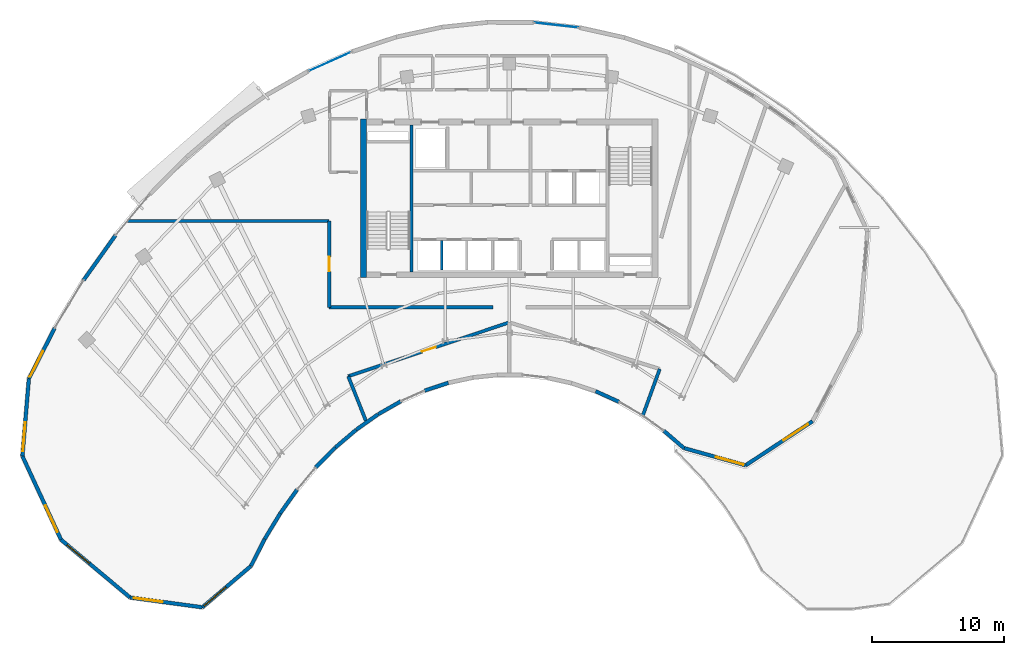
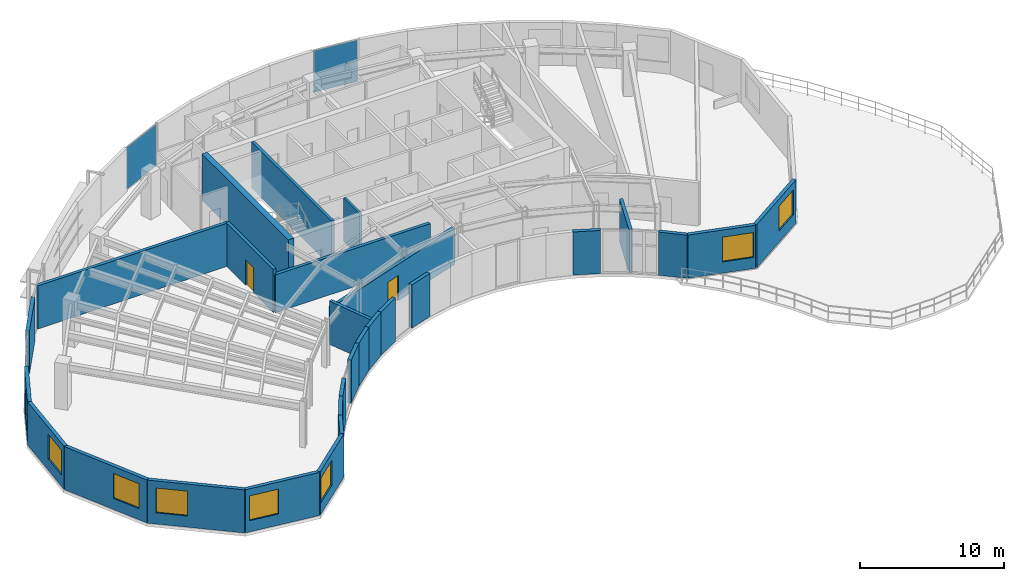
# One storey, part 7 of 15: 28 walls, 8 windows, 2 doors, 2 plates, 10 openings, 2 elements without a shape of their own.
"""IFC4 building model written with IfcOpenShell, lengths in metres."""

from ifc_helpers import new_model, si_unit, direction, frame, frame_2d, origin, origin_2d, place, context, subcontext, project, spatial, rectangle, extrude, source, transform, mapped, material, layer, layer_set, type_object, type_shapes, element, fill, aggregate, save


model = new_model("IFC4")

# Units and contexts
model_context = context("Model", 3, precision=1e-05, world=origin(), true_north=direction((0.0, 1.0)))
body_context = subcontext(model_context, "Body", "Model", "MODEL_VIEW")
ifc_project = project(units=[si_unit("LENGTHUNIT", "METRE"), si_unit("AREAUNIT", "SQUARE_METRE"), si_unit("VOLUMEUNIT", "CUBIC_METRE"), si_unit("PLANEANGLEUNIT", "RADIAN"), si_unit("MASSUNIT", "GRAM", prefix="KILO")], contexts=[model_context])

# Site, building, storey
site_placement = place(None, origin())
site = spatial("IfcSite", under=ifc_project, at=site_placement, CompositionType="ELEMENT")
building_placement = place(site_placement, origin())
building = spatial("IfcBuilding", under=site, at=building_placement, Name="Breltana Convention Tower", CompositionType="ELEMENT")
storey_placement = place(building_placement, frame((0.0, 0.0, 231.300048828125)))
storey = spatial("IfcBuildingStorey", under=building, at=storey_placement, Name="L56", CompositionType="ELEMENT", Elevation=231.300048828125)

# Curtain wall, plate
ifc_material_1 = material(Name="Aluminium Anodised Bronze Frame", Category="aluminium")
ifc_layer_1 = layer(ifc_material_1, 0.219970703125, Name="Aluminium Anodised Bronze Frame")
ifc_layer_set_1 = layer_set([ifc_layer_1], Name="Aluminium Anodised Bronze Frame")
curtain_wall_type = type_object("IfcCurtainWallType", Name="CW-SYS-4", PredefinedType="NOTDEFINED", material=ifc_layer_set_1)
curtain_wall_1_placement = place(storey_placement, origin())
curtain_wall_1 = element("IfcCurtainWall", 1, at=curtain_wall_1_placement, inside=storey, type_object=curtain_wall_type, Name="L56 outer double-skin inner glazing 3", PredefinedType="NOTDEFINED")
ifc_material_2 = material(Name="Glass Low-E Double Glazing", Category="glass")
ifc_layer_2 = layer(ifc_material_2, 0.028076171875, Name="Glass Low-E Double Glazing")
ifc_layer_set_2 = layer_set([ifc_layer_2], Name="Glass Low-E Double Glazing")
plate_type = type_object("IfcPlateType", Name="CWP-IGU-28", PredefinedType="CURTAIN_PANEL", material=ifc_layer_set_2)
shared_shape_1 = source(origin(), body_context, "Body", "SweptSolid", [
    extrude(rectangle(XDim=3.455810546875, YDim=0.028076171875, at=origin_2d()), origin(), (0.0, 0.0, 1.0), 3.510009765625),
])
plate_1_placement = place(storey_placement, frame((34.4267578125, 76.568115234375, 0.06982421875), z_axis=(0.0, 0.0, 1.0), x_axis=(0.912711055294, 0.408605591669, 0.0)))
plate_1 = element("IfcPlate", 2, at=plate_1_placement, type_object=plate_type, Name="CW-04 panel 1.1", PredefinedType="CURTAIN_PANEL", context=body_context, shape_type="MappedRepresentation", body=[
    mapped(shared_shape_1, transform((0.0, 0.0, 0.0), scale=1.0)),
])
aggregate(curtain_wall_1, [plate_1])

curtain_wall_2_placement = place(storey_placement, origin())
curtain_wall_2 = element("IfcCurtainWall", 3, at=curtain_wall_2_placement, inside=storey, type_object=curtain_wall_type, Name="L56 outer double-skin inner glazing 4", PredefinedType="NOTDEFINED")
shared_shape_2 = source(origin(), body_context, "Body", "SweptSolid", [
    extrude(rectangle(XDim=3.3271484375, YDim=0.028076171875, at=origin_2d()), origin(), (0.0, 0.0, 1.0), 3.510009765625),
])
plate_2_placement = place(storey_placement, frame((51.56494140625, 79.3271484375, 0.06982421875), z_axis=(0.0, 0.0, 1.0), x_axis=(0.993793880547, -0.111237237409, 0.0)))
plate_2 = element("IfcPlate", 4, at=plate_2_placement, type_object=plate_type, Name="CW-04 panel 1.1", PredefinedType="CURTAIN_PANEL", context=body_context, shape_type="MappedRepresentation", body=[
    mapped(shared_shape_2, transform((0.0, 0.0, 0.0), scale=1.0)),
])
aggregate(curtain_wall_2, [plate_2])

# Walls
ifc_material_3 = material(Name="Concrete C60/75", Category="concrete")
ifc_layer_3 = layer(ifc_material_3, 0.449951171875, Name="Concrete C60/75")
ifc_layer_set_3 = layer_set([ifc_layer_3], Name="Concrete C60/75")
wall_type_1 = type_object("IfcWallType", Name="SW-CORE-450", PredefinedType="SHEAR", material=ifc_layer_set_3)
shared_shape_3 = source(origin(), body_context, "Body", "SweptSolid", [
    extrude(rectangle(XDim=12.0, YDim=0.449951171875, at=frame_2d((6.0, 0.0))), origin(), (0.0, 0.0, 1.0), 3.89990234375),
])
wall_1_placement = place(storey_placement, frame((36.97509765625, 60.199951171875, 0.0), z_axis=(0.0, 0.0, 1.0), x_axis=(0.0, 1.0, 0.0)))
element("IfcWall", 5, at=wall_1_placement, inside=storey, type_object=wall_type_1, Name="L56 West Core Shear Wall", PredefinedType="SHEAR", context=body_context, shape_type="MappedRepresentation", body=[
    mapped(shared_shape_3, transform((0.0, 0.0, 0.0), scale=1.0)),
])
ifc_material_4 = material(Name="Concrete C50/60", Category="concrete")
ifc_layer_4 = layer(ifc_material_4, 0.39990234375, Name="Concrete C50/60")
ifc_layer_set_4 = layer_set([ifc_layer_4], Name="Concrete C50/60")
wall_type_2 = type_object("IfcWallType", Name="SW-CORE-400", PredefinedType="SHEAR", material=ifc_layer_set_4)
shared_shape_4 = source(origin(), body_context, "Body", "SweptSolid", [
    extrude(rectangle(XDim=11.10009765625, YDim=0.219970703125, at=frame_2d((5.550048828125, 0.0))), origin(), (0.0, 0.0, 1.0), 3.89990234375),
])
wall_2_placement = place(storey_placement, frame((40.580078125, 60.64990234375, 0.0), z_axis=(0.0, 0.0, 1.0), x_axis=(0.0, 1.0, 0.0)))
element("IfcWall", 6, at=wall_2_placement, inside=storey, type_object=wall_type_2, Name="L56 Core West Stair Spine Wall", PredefinedType="SHEAR", context=body_context, shape_type="MappedRepresentation", body=[
    mapped(shared_shape_4, transform((0.0, 0.0, 0.0), scale=1.0)),
])

# Wall, opening, window
ifc_material_5 = material(Name="Limestone Buff Insulated Wall", Category="masonry")
ifc_layer_5 = layer(ifc_material_5, 0.280029296875, Name="Limestone Buff Insulated Wall")
ifc_layer_set_5 = layer_set([ifc_layer_5], Name="Limestone Buff Insulated Wall")
wall_type_3 = type_object("IfcWallType", Name="WL-EXT-NOSE-280", PredefinedType="SOLIDWALL", material=ifc_layer_set_5)
shared_shape_5 = source(origin(), body_context, "Body", "SweptSolid", [
    extrude(rectangle(XDim=6.065185546875, YDim=0.280029296875, at=frame_2d((3.03271484375, 0.0))), origin(), (0.0, 0.0, 1.0), 3.64990234375),
])
wall_3_placement = place(storey_placement, frame((70.9541015625, 49.3349609375, 0.0), z_axis=(0.0, 0.0, 1.0), x_axis=(-0.834857303202, -0.550466423399, 0.0)))
wall_3 = element("IfcWall", 7, at=wall_3_placement, inside=storey, type_object=wall_type_3, Name="L56 curved limestone nose wall E4", PredefinedType="SOLIDWALL", context=body_context, shape_type="MappedRepresentation", body=[
    mapped(shared_shape_5, transform((0.0, 0.0, 0.0), scale=1.0)),
])
opening_1_placement = place(wall_3_placement, frame((0.416259765625, 0.0, 0.949951171875)))
opening_1 = element("IfcOpeningElement", 8, at=opening_1_placement, cuts=wall_3, Name="Opening W-03", PredefinedType="OPENING", context=body_context, shape_type="SweptSolid", body=[
    extrude(rectangle(XDim=2.199951171875, YDim=2.10009765625, at=frame_2d((1.10009765625, 1.050048828125))), frame((0.0, 0.14990234375, 0.0), z_axis=(0.0, -1.0, 0.0), x_axis=(1.0, 0.0, 0.0)), (0.0, 0.0, 1.0), 0.300048828125),
])
ifc_material_6 = material(Name="Glass Low-E Insulated Window", Category="glass")
window_type = type_object("IfcWindowType", Name="WN-NOSE-2200X2100", PartitioningType="TRIPLE_PANEL_VERTICAL", PredefinedType="WINDOW", material=ifc_material_6)
shared_shape_6 = source(origin(), body_context, "Body", "SweptSolid", [
    extrude(rectangle(XDim=2.199951171875, YDim=2.10009765625, at=frame_2d((1.10009765625, 1.050048828125))), frame((0.0, 0.030029296875, 0.0), z_axis=(0.0, -1.0, 0.0), x_axis=(1.0, 0.0, 0.0)), (0.0, 0.0, 1.0), 0.06005859375),
])
type_shapes(window_type, [shared_shape_6])
window_1_placement = place(opening_1_placement, origin())
window_1 = element("IfcWindow", 9, at=window_1_placement, inside=storey, type_object=window_type, Name="L56 nose window E4", OverallHeight=2.10009765625, OverallWidth=2.199951171875, PartitioningType="TRIPLE_PANEL_VERTICAL", PredefinedType="WINDOW", context=body_context, shape_type="MappedRepresentation", body=[
    mapped(shared_shape_6, transform((0.0, 0.0, 0.0), scale=1.0)),
])
fill(opening_1, window_1)

shared_shape_7 = source(origin(), body_context, "Body", "SweptSolid", [
    extrude(rectangle(XDim=4.84716796875, YDim=0.280029296875, at=frame_2d((2.423583984375, 0.0))), origin(), (0.0, 0.0, 1.0), 3.64990234375),
])
wall_4_placement = place(storey_placement, frame((65.890625, 45.996337890625, 0.0), z_axis=(0.0, 0.0, 1.0), x_axis=(-0.963208430762, 0.268755500238, 0.0)))
wall_4 = element("IfcWall", 10, at=wall_4_placement, inside=storey, type_object=wall_type_3, Name="L56 curved limestone nose wall E5", PredefinedType="SOLIDWALL", context=body_context, shape_type="MappedRepresentation", body=[
    mapped(shared_shape_7, transform((0.0, 0.0, 0.0), scale=1.0)),
])
opening_2_placement = place(wall_4_placement, frame((0.159912109375, 0.0, 0.949951171875)))
opening_2 = element("IfcOpeningElement", 11, at=opening_2_placement, cuts=wall_4, Name="Opening W-03", PredefinedType="OPENING", context=body_context, shape_type="SweptSolid", body=[
    extrude(rectangle(XDim=2.199951171875, YDim=2.10009765625, at=frame_2d((1.10009765625, 1.050048828125))), frame((0.0, 0.14990234375, 0.0), z_axis=(0.0, -1.0, 0.0), x_axis=(1.0, 0.0, 0.0)), (0.0, 0.0, 1.0), 0.300048828125),
])
window_2_placement = place(opening_2_placement, origin())
window_2 = element("IfcWindow", 12, at=window_2_placement, inside=storey, type_object=window_type, Name="L56 nose window E5", OverallHeight=2.10009765625, OverallWidth=2.199951171875, PartitioningType="TRIPLE_PANEL_VERTICAL", PredefinedType="WINDOW", context=body_context, shape_type="MappedRepresentation", body=[
    mapped(shared_shape_6, transform((0.0, 0.0, 0.0), scale=1.0)),
])
fill(opening_2, window_2)

# Walls
shared_shape_8 = source(origin(), body_context, "Body", "SweptSolid", [
    extrude(rectangle(XDim=2.022216796875, YDim=0.280029296875, at=frame_2d((1.01123046875, 0.0))), origin(), (0.0, 0.0, 1.0), 3.64990234375),
])
wall_5_placement = place(storey_placement, frame((61.2216796875, 47.299072265625, 0.0), z_axis=(0.0, 0.0, 1.0), x_axis=(-0.758343943716, 0.651854633358, 0.0)))
element("IfcWall", 13, at=wall_5_placement, inside=storey, type_object=wall_type_3, Name="L56 curved limestone nose wall E6", PredefinedType="SOLIDWALL", context=body_context, shape_type="MappedRepresentation", body=[
    mapped(shared_shape_8, transform((0.0, 0.0, 0.0), scale=1.0)),
])
shared_shape_9 = source(origin(), body_context, "Body", "SweptSolid", [
    extrude(rectangle(XDim=1.932861328125, YDim=0.280029296875, at=frame_2d((0.96630859375, 0.0))), origin(), (0.0, 0.0, 1.0), 3.64990234375),
])
wall_6_placement = place(storey_placement, frame((56.2998046875, 50.802001953125, 0.0), z_axis=(0.0, 0.0, 1.0), x_axis=(-0.910478916145, 0.413555489936, 0.0)))
element("IfcWall", 14, at=wall_6_placement, inside=storey, type_object=wall_type_3, Name="L56 curved limestone nose wall E7", PredefinedType="SOLIDWALL", context=body_context, shape_type="MappedRepresentation", body=[
    mapped(shared_shape_9, transform((0.0, 0.0, 0.0), scale=1.0)),
])
shared_shape_10 = source(origin(), body_context, "Body", "SweptSolid", [
    extrude(rectangle(XDim=1.899658203125, YDim=0.280029296875, at=frame_2d((0.94970703125, 0.0))), origin(), (0.0, 0.0, 1.0), 3.64990234375),
])
wall_7_placement = place(storey_placement, frame((43.378173828125, 52.240966796875, 0.0), z_axis=(0.0, 0.0, 1.0), x_axis=(-0.949693643068, -0.313180434121, 0.0)))
element("IfcWall", 15, at=wall_7_placement, inside=storey, type_object=wall_type_3, Name="L56 curved limestone nose wall E13", PredefinedType="SOLIDWALL", context=body_context, shape_type="MappedRepresentation", body=[
    mapped(shared_shape_10, transform((0.0, 0.0, 0.0), scale=1.0)),
])
shared_shape_11 = source(origin(), body_context, "Body", "SweptSolid", [
    extrude(rectangle(XDim=1.968994140625, YDim=0.280029296875, at=frame_2d((0.984375, 0.0))), origin(), (0.0, 0.0, 1.0), 3.64990234375),
])
wall_8_placement = place(storey_placement, frame((39.77880859375, 50.84228515625, 0.0), z_axis=(0.0, 0.0, 1.0), x_axis=(-0.86797594681, -0.496606238139, 0.0)))
element("IfcWall", 16, at=wall_8_placement, inside=storey, type_object=wall_type_3, Name="L56 curved limestone nose wall E14", PredefinedType="SOLIDWALL", context=body_context, shape_type="MappedRepresentation", body=[
    mapped(shared_shape_11, transform((0.0, 0.0, 0.0), scale=1.0)),
])
shared_shape_12 = source(origin(), body_context, "Body", "SweptSolid", [
    extrude(rectangle(XDim=2.011962890625, YDim=0.280029296875, at=frame_2d((1.005859375, 0.0))), origin(), (0.0, 0.0, 1.0), 3.64990234375),
])
wall_9_placement = place(storey_placement, frame((38.055419921875, 49.855224609375, 0.0), z_axis=(0.0, 0.0, 1.0), x_axis=(-0.817008215805, -0.576626027255, 0.0)))
element("IfcWall", 17, at=wall_9_placement, inside=storey, type_object=wall_type_3, Name="L56 curved limestone nose wall E15", PredefinedType="SOLIDWALL", context=body_context, shape_type="MappedRepresentation", body=[
    mapped(shared_shape_12, transform((0.0, 0.0, 0.0), scale=1.0)),
])
shared_shape_13 = source(origin(), body_context, "Body", "SweptSolid", [
    extrude(rectangle(XDim=2.0595703125, YDim=0.280029296875, at=frame_2d((1.02978515625, 0.0))), origin(), (0.0, 0.0, 1.0), 3.64990234375),
])
wall_10_placement = place(storey_placement, frame((36.398681640625, 48.68505859375, 0.0), z_axis=(0.0, 0.0, 1.0), x_axis=(-0.761494573969, -0.648171284319, 0.0)))
element("IfcWall", 18, at=wall_10_placement, inside=storey, type_object=wall_type_3, Name="L56 curved limestone nose wall E16", PredefinedType="SOLIDWALL", context=body_context, shape_type="MappedRepresentation", body=[
    mapped(shared_shape_13, transform((0.0, 0.0, 0.0), scale=1.0)),
])
shared_shape_14 = source(origin(), body_context, "Body", "SweptSolid", [
    extrude(rectangle(XDim=2.109619140625, YDim=0.280029296875, at=frame_2d((1.0546875, 0.0))), origin(), (0.0, 0.0, 1.0), 3.64990234375),
])
wall_11_placement = place(storey_placement, frame((34.819091796875, 47.339599609375, 0.0), z_axis=(0.0, 0.0, 1.0), x_axis=(-0.702695473125, -0.711490739258, 0.0)))
element("IfcWall", 19, at=wall_11_placement, inside=storey, type_object=wall_type_3, Name="L56 curved limestone nose wall E17", PredefinedType="SOLIDWALL", context=body_context, shape_type="MappedRepresentation", body=[
    mapped(shared_shape_14, transform((0.0, 0.0, 0.0), scale=1.0)),
])
shared_shape_15 = source(origin(), body_context, "Body", "SweptSolid", [
    extrude(rectangle(XDim=2.211669921875, YDim=0.280029296875, at=frame_2d((1.10595703125, 0.0))), origin(), (0.0, 0.0, 1.0), 3.64990234375),
])
wall_12_placement = place(storey_placement, frame((31.931396484375, 44.159423828125, 0.0), z_axis=(0.0, 0.0, 1.0), x_axis=(-0.579639452819, -0.814873060504, 0.0)))
element("IfcWall", 20, at=wall_12_placement, inside=storey, type_object=wall_type_3, Name="L56 curved limestone nose wall E18", PredefinedType="SOLIDWALL", context=body_context, shape_type="MappedRepresentation", body=[
    mapped(shared_shape_15, transform((0.0, 0.0, 0.0), scale=1.0)),
])
shared_shape_16 = source(origin(), body_context, "Body", "SweptSolid", [
    extrude(rectangle(XDim=2.260986328125, YDim=0.280029296875, at=frame_2d((1.13037109375, 0.0))), origin(), (0.0, 0.0, 1.0), 3.64990234375),
])
wall_13_placement = place(storey_placement, frame((30.64208984375, 42.345703125, 0.0), z_axis=(0.0, 0.0, 1.0), x_axis=(-0.516891494538, -0.856050923062, 0.0)))
element("IfcWall", 21, at=wall_13_placement, inside=storey, type_object=wall_type_3, Name="L56 curved limestone nose wall E19", PredefinedType="SOLIDWALL", context=body_context, shape_type="MappedRepresentation", body=[
    mapped(shared_shape_16, transform((0.0, 0.0, 0.0), scale=1.0)),
])
shared_shape_17 = source(origin(), body_context, "Body", "SweptSolid", [
    extrude(rectangle(XDim=2.271484375, YDim=0.280029296875, at=frame_2d((1.1357421875, 0.0))), origin(), (0.0, 0.0, 1.0), 3.64990234375),
])
wall_14_placement = place(storey_placement, frame((29.467041015625, 40.39892578125, 0.0), z_axis=(0.0, 0.0, 1.0), x_axis=(-0.453993402883, -0.891005044957, 0.0)))
element("IfcWall", 22, at=wall_14_placement, inside=storey, type_object=wall_type_3, Name="L56 curved limestone nose wall W1", PredefinedType="SOLIDWALL", context=body_context, shape_type="MappedRepresentation", body=[
    mapped(shared_shape_17, transform((0.0, 0.0, 0.0), scale=1.0)),
])

# Wall, opening, window
shared_shape_18 = source(origin(), body_context, "Body", "SweptSolid", [
    extrude(rectangle(XDim=4.830078125, YDim=0.280029296875, at=frame_2d((2.4150390625, 0.0))), origin(), (0.0, 0.0, 1.0), 3.64990234375),
])
wall_15_placement = place(storey_placement, frame((28.435791015625, 38.375, 0.0), z_axis=(0.0, 0.0, 1.0), x_axis=(-0.761890676316, -0.647705640968, 0.0)))
wall_15 = element("IfcWall", 23, at=wall_15_placement, inside=storey, type_object=wall_type_3, Name="L56 curved limestone nose wall W2", PredefinedType="SOLIDWALL", context=body_context, shape_type="MappedRepresentation", body=[
    mapped(shared_shape_18, transform((0.0, 0.0, 0.0), scale=1.0)),
])
opening_3_placement = place(wall_15_placement, frame((2.4697265625, 0.0, 0.949951171875)))
opening_3 = element("IfcOpeningElement", 24, at=opening_3_placement, cuts=wall_15, Name="Opening W-03", PredefinedType="OPENING", context=body_context, shape_type="SweptSolid", body=[
    extrude(rectangle(XDim=2.199951171875, YDim=2.10009765625, at=frame_2d((1.10009765625, 1.050048828125))), frame((0.0, 0.14990234375, 0.0), z_axis=(0.0, -1.0, 0.0), x_axis=(1.0, 0.0, 0.0)), (0.0, 0.0, 1.0), 0.300048828125),
])
window_3_placement = place(opening_3_placement, origin())
window_3 = element("IfcWindow", 25, at=window_3_placement, inside=storey, type_object=window_type, Name="L56 nose window W2", OverallHeight=2.10009765625, OverallWidth=2.199951171875, PartitioningType="TRIPLE_PANEL_VERTICAL", PredefinedType="WINDOW", context=body_context, shape_type="MappedRepresentation", body=[
    mapped(shared_shape_6, transform((0.0, 0.0, 0.0), scale=1.0)),
])
fill(opening_3, window_3)

shared_shape_19 = source(origin(), body_context, "Body", "SweptSolid", [
    extrude(rectangle(XDim=5.51953125, YDim=0.280029296875, at=frame_2d((2.759765625, 0.0))), origin(), (0.0, 0.0, 1.0), 3.64990234375),
])
wall_16_placement = place(storey_placement, frame((24.755859375, 35.24658203125, 0.0), z_axis=(0.0, 0.0, 1.0), x_axis=(-0.99093029136, 0.134376923856, 0.0)))
wall_16 = element("IfcWall", 26, at=wall_16_placement, inside=storey, type_object=wall_type_3, Name="L56 curved limestone nose wall W3", PredefinedType="SOLIDWALL", context=body_context, shape_type="MappedRepresentation", body=[
    mapped(shared_shape_19, transform((0.0, 0.0, 0.0), scale=1.0)),
])
opening_4_placement = place(wall_16_placement, frame((3.039794921875, 0.0, 0.949951171875)))
opening_4 = element("IfcOpeningElement", 27, at=opening_4_placement, cuts=wall_16, Name="Opening W-03", PredefinedType="OPENING", context=body_context, shape_type="SweptSolid", body=[
    extrude(rectangle(XDim=2.199951171875, YDim=2.10009765625, at=frame_2d((1.10009765625, 1.050048828125))), frame((0.0, 0.14990234375, 0.0), z_axis=(0.0, -1.0, 0.0), x_axis=(1.0, 0.0, 0.0)), (0.0, 0.0, 1.0), 0.300048828125),
])
window_4_placement = place(opening_4_placement, origin())
window_4 = element("IfcWindow", 28, at=window_4_placement, inside=storey, type_object=window_type, Name="L56 nose window W3", OverallHeight=2.10009765625, OverallWidth=2.199951171875, PartitioningType="TRIPLE_PANEL_VERTICAL", PredefinedType="WINDOW", context=body_context, shape_type="MappedRepresentation", body=[
    mapped(shared_shape_6, transform((0.0, 0.0, 0.0), scale=1.0)),
])
fill(opening_4, window_4)

shared_shape_20 = source(origin(), body_context, "Body", "SweptSolid", [
    extrude(rectangle(XDim=6.81201171875, YDim=0.280029296875, at=frame_2d((3.406005859375, 0.0))), origin(), (0.0, 0.0, 1.0), 3.64990234375),
])
wall_17_placement = place(storey_placement, frame((19.286376953125, 35.98828125, 0.0), z_axis=(0.0, 0.0, 1.0), x_axis=(-0.766712133953, 0.641991046394, 0.0)))
wall_17 = element("IfcWall", 29, at=wall_17_placement, inside=storey, type_object=wall_type_3, Name="L56 curved limestone nose wall W4", PredefinedType="SOLIDWALL", context=body_context, shape_type="MappedRepresentation", body=[
    mapped(shared_shape_20, transform((0.0, 0.0, 0.0), scale=1.0)),
])
opening_5_placement = place(wall_17_placement, frame((4.009033203125, 0.0, 0.949951171875)))
opening_5 = element("IfcOpeningElement", 30, at=opening_5_placement, cuts=wall_17, Name="Opening W-03", PredefinedType="OPENING", context=body_context, shape_type="SweptSolid", body=[
    extrude(rectangle(XDim=2.199951171875, YDim=2.10009765625, at=frame_2d((1.10009765625, 1.050048828125))), frame((0.0, 0.14990234375, 0.0), z_axis=(0.0, -1.0, 0.0), x_axis=(1.0, 0.0, 0.0)), (0.0, 0.0, 1.0), 0.300048828125),
])
window_5_placement = place(opening_5_placement, origin())
window_5 = element("IfcWindow", 31, at=window_5_placement, inside=storey, type_object=window_type, Name="L56 nose window W4", OverallHeight=2.10009765625, OverallWidth=2.199951171875, PartitioningType="TRIPLE_PANEL_VERTICAL", PredefinedType="WINDOW", context=body_context, shape_type="MappedRepresentation", body=[
    mapped(shared_shape_6, transform((0.0, 0.0, 0.0), scale=1.0)),
])
fill(opening_5, window_5)

shared_shape_21 = source(origin(), body_context, "Body", "SweptSolid", [
    extrude(rectangle(XDim=6.976806640625, YDim=0.280029296875, at=frame_2d((3.48828125, 0.0))), origin(), (0.0, 0.0, 1.0), 3.64990234375),
])
wall_18_placement = place(storey_placement, frame((14.0634765625, 40.361572265625, 0.0), z_axis=(0.0, 0.0, 1.0), x_axis=(-0.41966832263, 0.907677530283, 0.0)))
wall_18 = element("IfcWall", 32, at=wall_18_placement, inside=storey, type_object=wall_type_3, Name="L56 curved limestone nose wall W5", PredefinedType="SOLIDWALL", context=body_context, shape_type="MappedRepresentation", body=[
    mapped(shared_shape_21, transform((0.0, 0.0, 0.0), scale=1.0)),
])
opening_6_placement = place(wall_18_placement, frame((0.644287109375, 0.0, 0.949951171875)))
opening_6 = element("IfcOpeningElement", 33, at=opening_6_placement, cuts=wall_18, Name="Opening W-03", PredefinedType="OPENING", context=body_context, shape_type="SweptSolid", body=[
    extrude(rectangle(XDim=2.199951171875, YDim=2.10009765625, at=frame_2d((1.10009765625, 1.050048828125))), frame((0.0, 0.14990234375, 0.0), z_axis=(0.0, -1.0, 0.0), x_axis=(1.0, 0.0, 0.0)), (0.0, 0.0, 1.0), 0.300048828125),
])
window_6_placement = place(opening_6_placement, origin())
window_6 = element("IfcWindow", 34, at=window_6_placement, inside=storey, type_object=window_type, Name="L56 nose window W5", OverallHeight=2.10009765625, OverallWidth=2.199951171875, PartitioningType="TRIPLE_PANEL_VERTICAL", PredefinedType="WINDOW", context=body_context, shape_type="MappedRepresentation", body=[
    mapped(shared_shape_6, transform((0.0, 0.0, 0.0), scale=1.0)),
])
fill(opening_6, window_6)

shared_shape_22 = source(origin(), body_context, "Body", "SweptSolid", [
    extrude(rectangle(XDim=5.880859375, YDim=0.280029296875, at=frame_2d((2.9404296875, 0.0))), origin(), (0.0, 0.0, 1.0), 3.64990234375),
])
wall_19_placement = place(storey_placement, frame((11.135498046875, 46.6943359375, 0.0), z_axis=(0.0, 0.0, 1.0), x_axis=(0.083320333731, 0.996522815588, 0.0)))
wall_19 = element("IfcWall", 35, at=wall_19_placement, inside=storey, type_object=wall_type_3, Name="L56 curved limestone nose wall W6", PredefinedType="SOLIDWALL", context=body_context, shape_type="MappedRepresentation", body=[
    mapped(shared_shape_22, transform((0.0, 0.0, 0.0), scale=1.0)),
])
opening_7_placement = place(wall_19_placement, frame((0.3701171875, 0.0, 0.949951171875)))
opening_7 = element("IfcOpeningElement", 36, at=opening_7_placement, cuts=wall_19, Name="Opening W-03", PredefinedType="OPENING", context=body_context, shape_type="SweptSolid", body=[
    extrude(rectangle(XDim=2.199951171875, YDim=2.10009765625, at=frame_2d((1.10009765625, 1.050048828125))), frame((0.0, 0.14990234375, 0.0), z_axis=(0.0, -1.0, 0.0), x_axis=(1.0, 0.0, 0.0)), (0.0, 0.0, 1.0), 0.300048828125),
])
window_7_placement = place(opening_7_placement, origin())
window_7 = element("IfcWindow", 37, at=window_7_placement, inside=storey, type_object=window_type, Name="L56 nose window W6", OverallHeight=2.10009765625, OverallWidth=2.199951171875, PartitioningType="TRIPLE_PANEL_VERTICAL", PredefinedType="WINDOW", context=body_context, shape_type="MappedRepresentation", body=[
    mapped(shared_shape_6, transform((0.0, 0.0, 0.0), scale=1.0)),
])
fill(opening_7, window_7)

shared_shape_23 = source(origin(), body_context, "Body", "SweptSolid", [
    extrude(rectangle(XDim=4.30126953125, YDim=0.280029296875, at=frame_2d((2.150634765625, 0.0))), origin(), (0.0, 0.0, 1.0), 3.64990234375),
])
wall_20_placement = place(storey_placement, frame((11.62548828125, 52.5546875, 0.0), z_axis=(0.0, 0.0, 1.0), x_axis=(0.454011655096, 0.89099574468, 0.0)))
wall_20 = element("IfcWall", 38, at=wall_20_placement, inside=storey, type_object=wall_type_3, Name="L56 curved limestone nose wall W7", PredefinedType="SOLIDWALL", context=body_context, shape_type="MappedRepresentation", body=[
    mapped(shared_shape_23, transform((0.0, 0.0, 0.0), scale=1.0)),
])
opening_8_placement = place(wall_20_placement, frame((0.159912109375, 0.0, 0.949951171875)))
opening_8 = element("IfcOpeningElement", 39, at=opening_8_placement, cuts=wall_20, Name="Opening W-03", PredefinedType="OPENING", context=body_context, shape_type="SweptSolid", body=[
    extrude(rectangle(XDim=2.199951171875, YDim=2.10009765625, at=frame_2d((1.10009765625, 1.050048828125))), frame((0.0, 0.14990234375, 0.0), z_axis=(0.0, -1.0, 0.0), x_axis=(1.0, 0.0, 0.0)), (0.0, 0.0, 1.0), 0.300048828125),
])
window_8_placement = place(opening_8_placement, origin())
window_8 = element("IfcWindow", 40, at=window_8_placement, inside=storey, type_object=window_type, Name="L56 nose window W7", OverallHeight=2.10009765625, OverallWidth=2.199951171875, PartitioningType="TRIPLE_PANEL_VERTICAL", PredefinedType="WINDOW", context=body_context, shape_type="MappedRepresentation", body=[
    mapped(shared_shape_6, transform((0.0, 0.0, 0.0), scale=1.0)),
])
fill(opening_8, window_8)

# Walls
shared_shape_24 = source(origin(), body_context, "Body", "SweptSolid", [
    extrude(rectangle(XDim=4.14892578125, YDim=0.280029296875, at=frame_2d((2.074462890625, 0.0))), origin(), (0.0, 0.0, 1.0), 3.64990234375),
])
wall_21_placement = place(storey_placement, frame((15.77099609375, 60.018798828125, 0.0), z_axis=(0.0, 0.0, 1.0), x_axis=(0.579622789827, 0.814884913048, 0.0)))
element("IfcWall", 41, at=wall_21_placement, inside=storey, type_object=wall_type_3, Name="L56 curved limestone nose wall E20", PredefinedType="SOLIDWALL", context=body_context, shape_type="MappedRepresentation", body=[
    mapped(shared_shape_24, transform((0.0, 0.0, 0.0), scale=1.0)),
])
ifc_material_7 = material(Name="Autoclaved Aerated Concrete Block", Category="concrete")
ifc_layer_6 = layer(ifc_material_7, 0.199951171875, Name="Autoclaved Aerated Concrete Block")
ifc_layer_set_6 = layer_set([ifc_layer_6], Name="Autoclaved Aerated Concrete Block")
wall_type_4 = type_object("IfcWallType", Name="WL-SHAFT-200", PredefinedType="SOLIDWALL", material=ifc_layer_set_6)
shared_shape_25 = source(origin(), body_context, "Body", "SweptSolid", [
    extrude(rectangle(XDim=2.199951171875, YDim=0.199951171875, at=frame_2d((1.10009765625, 0.0))), origin(), (0.0, 0.0, 1.0), 3.64990234375),
])
wall_22_placement = place(storey_placement, frame((42.8701171875, 60.800048828125, 0.0), z_axis=(0.0, 0.0, 1.0), x_axis=(0.0, 1.0, 0.0)))
element("IfcWall", 42, at=wall_22_placement, inside=storey, type_object=wall_type_4, Name="L56 interior partition W-L56-SH-S-DIV1", PredefinedType="SOLIDWALL", context=body_context, shape_type="MappedRepresentation", body=[
    mapped(shared_shape_25, transform((0.0, 0.0, 0.0), scale=1.0)),
])
ifc_material_8 = material(Name="Gypsum Acoustic Double Stud Wall")
ifc_layer_7 = layer(ifc_material_8, 0.25, Name="Gypsum Acoustic Double Stud Wall")
ifc_layer_set_7 = layer_set([ifc_layer_7], Name="Gypsum Acoustic Double Stud Wall")
wall_type_5 = type_object("IfcWallType", Name="WL-ACOUSTIC-250", PredefinedType="PARTITIONING", material=ifc_layer_set_7)
shared_shape_26 = source(origin(), body_context, "Body", "SweptSolid", [
    extrude(rectangle(XDim=12.389892578125, YDim=0.25, at=frame_2d((6.19482421875, 0.0))), origin(), (0.0, 0.0, 1.0), 3.217041015625),
])
wall_23_placement = place(storey_placement, frame((34.360107421875, 57.9599609375, 0.0), z_axis=(0.0, 0.0, 1.0), x_axis=(1.0, 0.0, 0.0)))
element("IfcWall", 43, at=wall_23_placement, inside=storey, type_object=wall_type_5, Name="L56 interior partition W-L56-Z45-CSW", PredefinedType="PARTITIONING", context=body_context, shape_type="MappedRepresentation", body=[
    mapped(shared_shape_26, transform((0.0, 0.0, 0.0), scale=1.0)),
])

# Wall, opening, door
shared_shape_27 = source(origin(), body_context, "Body", "SweptSolid", [
    extrude(rectangle(XDim=12.859619140625, YDim=0.25, at=frame_2d((6.4296875, 0.0))), origin(), (0.0, 0.0, 1.0), 3.094970703125),
])
wall_24_placement = place(storey_placement, frame((35.802978515625, 52.73828125, 0.0), z_axis=(0.0, 0.0, 1.0), x_axis=(0.948466647997, 0.316876975554, 0.0)))
wall_24 = element("IfcWall", 44, at=wall_24_placement, inside=storey, type_object=wall_type_5, Name="L56 interior partition W-L56-ES1-COR", PredefinedType="PARTITIONING", context=body_context, shape_type="MappedRepresentation", body=[
    mapped(shared_shape_27, transform((0.0, 0.0, 0.0), scale=1.0)),
])
opening_9_placement = place(wall_24_placement, frame((5.8798828125, 0.0, 0.0)))
opening_9 = element("IfcOpeningElement", 45, at=opening_9_placement, cuts=wall_24, Name="Opening D-12", PredefinedType="OPENING", context=body_context, shape_type="SweptSolid", body=[
    extrude(rectangle(XDim=1.10009765625, YDim=2.14990234375, at=frame_2d((0.550048828125, 1.074951171875))), frame((0.0, 0.135009765625, 0.0), z_axis=(0.0, -1.0, 0.0), x_axis=(1.0, 0.0, 0.0)), (0.0, 0.0, 1.0), 0.27001953125),
])
ifc_material_9 = material(Name="Timber Oak Acoustic Door", Category="wood")
door_type = type_object("IfcDoorType", Name="DR-INT-1100", OperationType="NOTDEFINED", PredefinedType="DOOR", material=ifc_material_9)
shared_shape_28 = source(origin(), body_context, "Body", "SweptSolid", [
    extrude(rectangle(XDim=1.10009765625, YDim=2.14990234375, at=frame_2d((0.550048828125, 1.074951171875))), frame((0.0, 0.02490234375, 0.0), z_axis=(0.0, -1.0, 0.0), x_axis=(1.0, 0.0, 0.0)), (0.0, 0.0, 1.0), 0.050048828125),
])
type_shapes(door_type, [shared_shape_28])
door_1_placement = place(opening_9_placement, origin())
door_1 = element("IfcDoor", 46, at=door_1_placement, inside=storey, type_object=door_type, Name="L56 interior door D-L56-ES1", OperationType="SINGLE_SWING_RIGHT", OverallHeight=2.14990234375, OverallWidth=1.10009765625, PredefinedType="DOOR", context=body_context, shape_type="MappedRepresentation", body=[
    mapped(shared_shape_28, transform((0.0, 0.0, 0.0), scale=1.0)),
])
fill(opening_9, door_1)

# Walls
shared_shape_29 = source(origin(), body_context, "Body", "SweptSolid", [
    extrude(rectangle(XDim=3.7490234375, YDim=0.25, at=frame_2d((1.87451171875, 0.0))), origin(), (0.0, 0.0, 1.0), 3.64990234375),
])
wall_25_placement = place(storey_placement, frame((37.185791015625, 49.253662109375, 0.0), z_axis=(0.0, 0.0, 1.0), x_axis=(-0.368851771682, 0.92948823044, 0.0)))
element("IfcWall", 47, at=wall_25_placement, inside=storey, type_object=wall_type_5, Name="L56 interior partition W-L56-ES1-RA", PredefinedType="PARTITIONING", context=body_context, shape_type="MappedRepresentation", body=[
    mapped(shared_shape_29, transform((0.0, 0.0, 0.0), scale=1.0)),
])
shared_shape_30 = source(origin(), body_context, "Body", "SweptSolid", [
    extrude(rectangle(XDim=3.75634765625, YDim=0.25, at=frame_2d((1.878173828125, 0.0))), origin(), (0.0, 0.0, 1.0), 3.64990234375),
])
wall_26_placement = place(storey_placement, frame((58.104248046875, 49.760009765625, 0.0), z_axis=(0.0, 0.0, 1.0), x_axis=(0.342003978967, 0.939698503974, 0.0)))
element("IfcWall", 48, at=wall_26_placement, inside=storey, type_object=wall_type_5, Name="L56 interior partition W-L56-ES2-RB", PredefinedType="PARTITIONING", context=body_context, shape_type="MappedRepresentation", body=[
    mapped(shared_shape_30, transform((0.0, 0.0, 0.0), scale=1.0)),
])
shared_shape_31 = source(origin(), body_context, "Body", "SweptSolid", [
    extrude(rectangle(XDim=15.25048828125, YDim=0.25, at=frame_2d((7.625244140625, 0.0))), origin(), (0.0, 0.0, 1.0), 3.64990234375),
])
wall_27_placement = place(storey_placement, frame((19.109619140625, 64.5, 0.0), z_axis=(0.0, 0.0, 1.0), x_axis=(1.0, 0.0, 0.0)))
element("IfcWall", 49, at=wall_27_placement, inside=storey, type_object=wall_type_5, Name="L56 interior partition W-L56-EXW1-N", PredefinedType="PARTITIONING", context=body_context, shape_type="MappedRepresentation", body=[
    mapped(shared_shape_31, transform((0.0, 0.0, 0.0), scale=1.0)),
])

# Wall, opening, door
shared_shape_32 = source(origin(), body_context, "Body", "SweptSolid", [
    extrude(rectangle(XDim=6.5400390625, YDim=0.25, at=frame_2d((3.27001953125, 0.0))), origin(), (0.0, 0.0, 1.0), 3.64990234375),
])
wall_28_placement = place(storey_placement, frame((34.360107421875, 57.9599609375, 0.0), z_axis=(0.0, 0.0, 1.0), x_axis=(0.0, 1.0, 0.0)))
wall_28 = element("IfcWall", 50, at=wall_28_placement, inside=storey, type_object=wall_type_5, Name="L56 interior partition W-L56-EXW1-ENT", PredefinedType="PARTITIONING", context=body_context, shape_type="MappedRepresentation", body=[
    mapped(shared_shape_32, transform((0.0, 0.0, 0.0), scale=1.0)),
])
opening_10_placement = place(wall_28_placement, frame((2.719970703125, 0.0, 0.0)))
opening_10 = element("IfcOpeningElement", 51, at=opening_10_placement, cuts=wall_28, Name="Opening D-12", PredefinedType="OPENING", context=body_context, shape_type="SweptSolid", body=[
    extrude(rectangle(XDim=1.10009765625, YDim=2.14990234375, at=frame_2d((0.550048828125, 1.074951171875))), frame((0.0, 0.135009765625, 0.0), z_axis=(0.0, -1.0, 0.0), x_axis=(1.0, 0.0, 0.0)), (0.0, 0.0, 1.0), 0.27001953125),
])
door_2_placement = place(opening_10_placement, origin())
door_2 = element("IfcDoor", 52, at=door_2_placement, inside=storey, type_object=door_type, Name="L56 interior door D-L56-EXW1", OperationType="SINGLE_SWING_RIGHT", OverallHeight=2.14990234375, OverallWidth=1.10009765625, PredefinedType="DOOR", context=body_context, shape_type="MappedRepresentation", body=[
    mapped(shared_shape_28, transform((0.0, 0.0, 0.0), scale=1.0)),
])
fill(opening_10, door_2)

save(model, "model.ifc")
